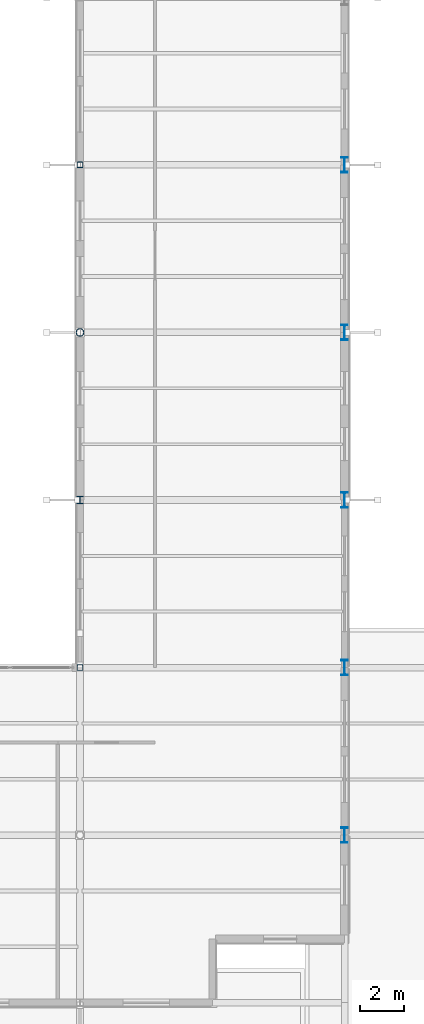
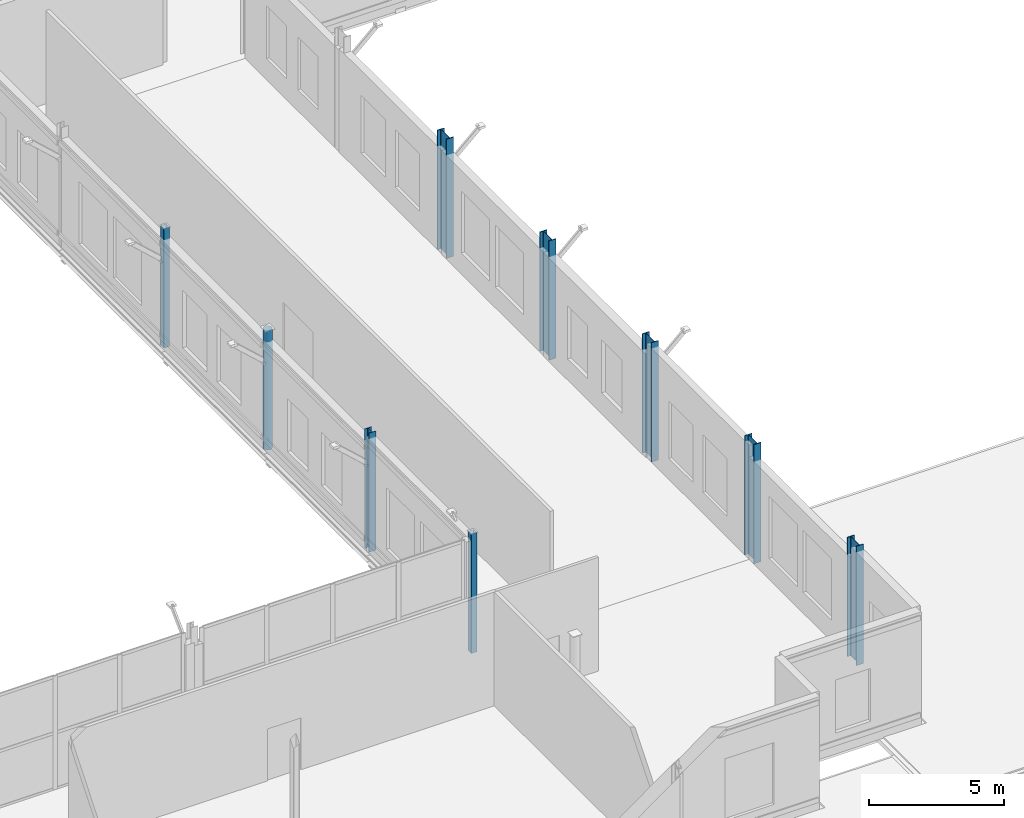
# One storey, part 16 of 147: 9 columns.
"""IFC4 building model written with IfcOpenShell, lengths in metres."""

from ifc_helpers import new_model, si_unit, direction, frame, origin, origin_2d, place, context, subcontext, project, spatial, hollow_rectangle, hollow_circle, i_section, extrude, material, material_profile, profile_set, type_object, element, save


model = new_model("IFC4")

# Units and contexts
model_context = context("Model", 3, precision=1e-05, world=origin(), true_north=direction((0.0, 1.0)))
body_context = subcontext(model_context, "Body", "Model", "MODEL_VIEW")
ifc_project = project(units=[si_unit("LENGTHUNIT", "METRE"), si_unit("AREAUNIT", "SQUARE_METRE"), si_unit("VOLUMEUNIT", "CUBIC_METRE"), si_unit("PLANEANGLEUNIT", "RADIAN"), si_unit("MASSUNIT", "GRAM", prefix="KILO")], contexts=[model_context])

# Site, building, storey
site_placement = place(None, origin())
site = spatial("IfcSite", under=ifc_project, at=site_placement, CompositionType="ELEMENT")
building_placement = place(site_placement, origin())
building = spatial("IfcBuilding", under=site, at=building_placement, Name="Vekula Escarpment Museum", CompositionType="ELEMENT")
storey_placement = place(building_placement, frame((0.0, 0.0, 7.800048828125)))
storey = spatial("IfcBuildingStorey", under=building, at=storey_placement, Name="L02", CompositionType="ELEMENT", Elevation=7.800048828125)

# Columns
ifc_material_1 = material(Name="Steel S355", Category="steel")
ifc_material_profile_1 = material_profile(ifc_material_1, hollow_circle(Radius=0.177734375, WallThickness=0.01611328125, at=origin_2d()), Name="CHS 355.6x16")
ifc_profile_set_1 = profile_set([ifc_material_profile_1], Name="Steel S355")
column_type_1 = type_object("IfcColumnType", Name="COL-S-CHS355", PredefinedType="COLUMN", material=ifc_profile_set_1)
column_1_placement = place(storey_placement, frame((167.0, 30.39990234375, 0.0), z_axis=(0.0, 0.0, 1.0), x_axis=(1.0, 0.0, 0.0)))
element("IfcColumn", 1, at=column_1_placement, inside=storey, type_object=column_type_1, Name="Column L02 (167.0,30.4)", PredefinedType="COLUMN", context=body_context, shape_type="SweptSolid", body=[
    extrude(hollow_circle(Radius=0.177734375, WallThickness=0.01611328125, at=origin_2d()), origin(), (0.0, 0.0, 1.0), 5.39990234375),
])
ifc_material_2 = material(Name="Steel S355", Category="steel")
ifc_material_profile_2 = material_profile(ifc_material_2, i_section(OverallWidth=0.300048828125, OverallDepth=0.330078125, WebThickness=0.009521484375, FlangeThickness=0.0166015625, FilletRadius=0.027099609375, at=origin_2d()), Name="HEA 340")
ifc_profile_set_2 = profile_set([ifc_material_profile_2], Name="Steel S355")
column_type_2 = type_object("IfcColumnType", Name="COL-S-HEA340", PredefinedType="COLUMN", material=ifc_profile_set_2)
column_2_placement = place(storey_placement, frame((167.0, 22.800048828125, 0.0), z_axis=(0.0, 0.0, 1.0), x_axis=(1.0, 0.0, 0.0)))
element("IfcColumn", 2, at=column_2_placement, inside=storey, type_object=column_type_2, Name="Column L02 (167.0,22.8)", PredefinedType="COLUMN", context=body_context, shape_type="SweptSolid", body=[
    extrude(i_section(OverallWidth=0.300048828125, OverallDepth=0.330078125, WebThickness=0.009521484375, FlangeThickness=0.0166015625, FilletRadius=0.027099609375, at=origin_2d()), origin(), (0.0, 0.0, 1.0), 5.39990234375),
])
ifc_material_3 = material(Name="Steel S355", Category="steel")
ifc_material_profile_3 = material_profile(ifc_material_3, i_section(OverallWidth=0.300048828125, OverallDepth=0.699951171875, WebThickness=0.01708984375, FlangeThickness=0.031982421875, FilletRadius=0.027099609375, at=origin_2d()), Name="HEB 700")
ifc_profile_set_3 = profile_set([ifc_material_profile_3], Name="Steel S355")
column_type_3 = type_object("IfcColumnType", Name="COL-S-HEB700", PredefinedType="COLUMN", material=ifc_profile_set_3)
for number, where, z_axis, x_axis, name in (
    (3, (179.0, 7.60009765625, 0.0), (0.0, 0.0, 1.0), (1.0, 0.0, 0.0), "Column L02 (179.0,7.6)"),
    (4, (179.0, 15.199951171875, 0.0), (0.0, 0.0, 1.0), (1.0, 0.0, 0.0), "Column L02 (179.0,15.2)"),
    (5, (179.0, 22.800048828125, 0.0), (0.0, 0.0, 1.0), (1.0, 0.0, 0.0), "Column L02 (179.0,22.8)"),
    (6, (179.0, 30.39990234375, 0.0), (0.0, 0.0, 1.0), (1.0, 0.0, 0.0), "Column L02 (179.0,30.4)"),
    (7, (179.0, 38.0, 0.0), (0.0, 0.0, 1.0), (1.0, 0.0, 0.0), "Column L02 (179.0,38.0)"),
):
    element("IfcColumn", number, at=place(storey_placement, frame(where, z_axis=z_axis, x_axis=x_axis)), inside=storey, type_object=column_type_3, Name=name, PredefinedType="COLUMN", context=body_context, shape_type="SweptSolid", body=[
        extrude(i_section(OverallWidth=0.300048828125, OverallDepth=0.699951171875, WebThickness=0.01708984375, FlangeThickness=0.031982421875, FilletRadius=0.027099609375, at=origin_2d()), origin(), (0.0, 0.0, 1.0), 5.39990234375),
    ])
ifc_material_4 = material(Name="Steel S355", Category="steel")
ifc_material_profile_4 = material_profile(ifc_material_4, hollow_rectangle(XDim=0.260009765625, YDim=0.260009765625, WallThickness=0.012451171875, InnerFilletRadius=0.012451171875, OuterFilletRadius=0.02490234375, at=origin_2d()), Name="SHS 260x260x12.5")
ifc_profile_set_4 = profile_set([ifc_material_profile_4], Name="Steel S355")
column_type_4 = type_object("IfcColumnType", Name="COL-S-SHS260", PredefinedType="COLUMN", material=ifc_profile_set_4)
for number, where, z_axis, x_axis, name in (
    (8, (167.0, 15.199951171875, 0.0), (0.0, 0.0, 1.0), (1.0, 0.0, 0.0), "Column L02 (167.0,15.2)"),
    (9, (167.0, 38.0, 0.0), (0.0, 0.0, 1.0), (1.0, 0.0, 0.0), "Column L02 (167.0,38.0)"),
):
    element("IfcColumn", number, at=place(storey_placement, frame(where, z_axis=z_axis, x_axis=x_axis)), inside=storey, type_object=column_type_4, Name=name, PredefinedType="COLUMN", context=body_context, shape_type="SweptSolid", body=[
        extrude(hollow_rectangle(XDim=0.260009765625, YDim=0.260009765625, WallThickness=0.012451171875, InnerFilletRadius=0.012451171875, OuterFilletRadius=0.02490234375, at=origin_2d()), origin(), (0.0, 0.0, 1.0), 5.39990234375),
    ])

save(model, "model.ifc")
